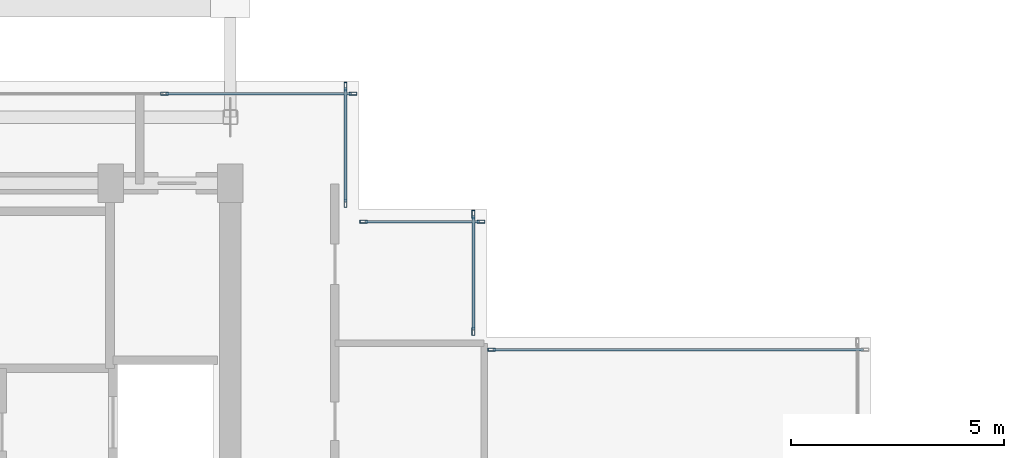
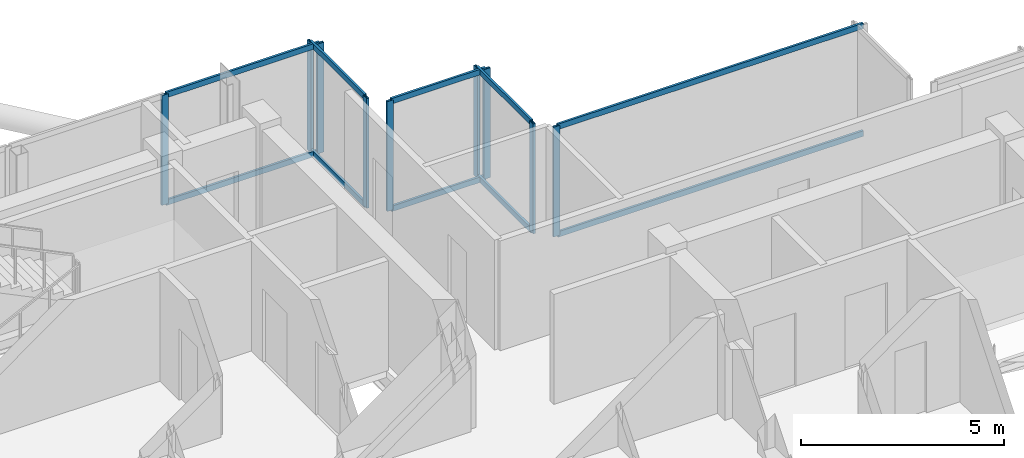
# One storey, part 11 of 19: 19 members, 5 elements without a shape of their own.
"""IFC4 building model written with IfcOpenShell, lengths in metres."""

from ifc_helpers import new_model, si_unit, direction, frame, origin, origin_2d, place, context, subcontext, project, spatial, hollow_rectangle, extrude, material, layer, layer_set, material_profile, profile_set, type_object, element, aggregate, save


model = new_model("IFC4")

# Units and contexts
model_context = context("Model", 3, precision=1e-05, world=origin(), true_north=direction((0.0, 1.0)))
body_context = subcontext(model_context, "Body", "Model", "MODEL_VIEW")
ifc_project = project(units=[si_unit("LENGTHUNIT", "METRE"), si_unit("AREAUNIT", "SQUARE_METRE"), si_unit("VOLUMEUNIT", "CUBIC_METRE"), si_unit("PLANEANGLEUNIT", "RADIAN"), si_unit("MASSUNIT", "GRAM", prefix="KILO"), si_unit("THERMODYNAMICTEMPERATUREUNIT", "KELVIN"), si_unit("POWERUNIT", "WATT")], contexts=[model_context])

# Site, building, storey
site_placement = place(None, origin())
site = spatial("IfcSite", under=ifc_project, at=site_placement, CompositionType="ELEMENT")
building_placement = place(site_placement, origin())
building = spatial("IfcBuilding", under=site, at=building_placement, Name="Svarakhadi Broadcast Tower", CompositionType="ELEMENT")
storey_placement = place(building_placement, frame((0.0, 0.0, 257.199951171875)))
storey = spatial("IfcBuildingStorey", under=building, at=storey_placement, Name="L64", CompositionType="ELEMENT", Elevation=257.199951171875)

# Curtain wall, members
ifc_material = material(Name="Anodised Bronze Aluminium AA 6063-T6", Category="aluminium")
ifc_layer = layer(ifc_material, 0.179931640625)
ifc_layer_set = layer_set([ifc_layer], Name="Anodised Bronze Aluminium AA 6063-T6")
curtain_wall_type = type_object("IfcCurtainWallType", Name="CW_Sys_05", PredefinedType="NOTDEFINED", material=ifc_layer_set)
curtain_wall_1_placement = place(storey_placement, origin())
curtain_wall_1 = element("IfcCurtainWall", 1, at=curtain_wall_1_placement, inside=storey, type_object=curtain_wall_type, Name="L64 Unitised Facade Curtain Wall 05", PredefinedType="NOTDEFINED")
ifc_material_profile_1 = material_profile(ifc_material, hollow_rectangle(XDim=0.070068359375, YDim=0.179931640625, WallThickness=0.005615234375, at=origin_2d()), Name="ALU MULLION 180x70x6")
ifc_profile_set_1 = profile_set([ifc_material_profile_1], Name="Anodised Bronze Aluminium AA 6063-T6")
member_type_1 = type_object("IfcMemberType", Name="CW_Sys_05_Mul", PredefinedType="MULLION", material=ifc_profile_set_1)
member_1_placement = place(storey_placement, frame((16.455078125, 29.699951171875, 0.0), z_axis=(0.0, 0.0, 1.0), x_axis=(0.0, 1.0, 0.0)))
member_1 = element("IfcMember", 2, at=member_1_placement, type_object=member_type_1, Name="CW-05 mullion 4", PredefinedType="MULLION", context=body_context, shape_type="SweptSolid", body=[
    extrude(hollow_rectangle(XDim=0.070068359375, YDim=0.179931640625, WallThickness=0.005615234375, at=origin_2d()), origin(), (0.0, 0.0, 1.0), 3.300048828125),
])
member_2_placement = place(storey_placement, frame((20.875, 29.699951171875, 0.0), z_axis=(0.0, 0.0, 1.0), x_axis=(0.0, 1.0, 0.0)))
member_2 = element("IfcMember", 3, at=member_2_placement, type_object=member_type_1, Name="CW-05 mullion 5", PredefinedType="MULLION", context=body_context, shape_type="SweptSolid", body=[
    extrude(hollow_rectangle(XDim=0.070068359375, YDim=0.179931640625, WallThickness=0.005615234375, at=origin_2d()), origin(), (0.0, 0.0, 1.0), 3.300048828125),
])

curtain_wall_2_placement = place(storey_placement, origin())
curtain_wall_2 = element("IfcCurtainWall", 4, at=curtain_wall_2_placement, inside=storey, type_object=curtain_wall_type, Name="L64 Unitised Facade Curtain Wall 06", PredefinedType="NOTDEFINED")
member_3_placement = place(storey_placement, frame((20.699951171875, 29.875, 0.0), z_axis=(0.0, 0.0, 1.0), x_axis=(1.0, 0.0, 0.0)))
member_3 = element("IfcMember", 5, at=member_3_placement, type_object=member_type_1, Name="CW-05 mullion 1", PredefinedType="MULLION", context=body_context, shape_type="SweptSolid", body=[
    extrude(hollow_rectangle(XDim=0.070068359375, YDim=0.179931640625, WallThickness=0.005615234375, at=origin_2d()), origin(), (0.0, 0.0, 1.0), 3.300048828125),
])
member_4_placement = place(storey_placement, frame((20.699951171875, 27.125, 0.0), z_axis=(0.0, 0.0, 1.0), x_axis=(1.0, 0.0, 0.0)))
member_4 = element("IfcMember", 6, at=member_4_placement, type_object=member_type_1, Name="CW-05 mullion 2", PredefinedType="MULLION", context=body_context, shape_type="SweptSolid", body=[
    extrude(hollow_rectangle(XDim=0.070068359375, YDim=0.179931640625, WallThickness=0.005615234375, at=origin_2d()), origin(), (0.0, 0.0, 1.0), 3.300048828125),
])

curtain_wall_3_placement = place(storey_placement, origin())
curtain_wall_3 = element("IfcCurtainWall", 7, at=curtain_wall_3_placement, inside=storey, type_object=curtain_wall_type, Name="L64 Unitised Facade Curtain Wall 07", PredefinedType="NOTDEFINED")
member_5_placement = place(storey_placement, frame((21.125, 26.699951171875, 0.0), z_axis=(0.0, 0.0, 1.0), x_axis=(0.0, 1.0, 0.0)))
member_5 = element("IfcMember", 8, at=member_5_placement, type_object=member_type_1, Name="CW-05 mullion 1", PredefinedType="MULLION", context=body_context, shape_type="SweptSolid", body=[
    extrude(hollow_rectangle(XDim=0.070068359375, YDim=0.179931640625, WallThickness=0.005615234375, at=origin_2d()), origin(), (0.0, 0.0, 1.0), 3.300048828125),
])
member_6_placement = place(storey_placement, frame((23.875, 26.699951171875, 0.0), z_axis=(0.0, 0.0, 1.0), x_axis=(0.0, 1.0, 0.0)))
member_6 = element("IfcMember", 9, at=member_6_placement, type_object=member_type_1, Name="CW-05 mullion 2", PredefinedType="MULLION", context=body_context, shape_type="SweptSolid", body=[
    extrude(hollow_rectangle(XDim=0.070068359375, YDim=0.179931640625, WallThickness=0.005615234375, at=origin_2d()), origin(), (0.0, 0.0, 1.0), 3.300048828125),
])

curtain_wall_4_placement = place(storey_placement, origin())
curtain_wall_4 = element("IfcCurtainWall", 10, at=curtain_wall_4_placement, inside=storey, type_object=curtain_wall_type, Name="L64 Unitised Facade Curtain Wall 08", PredefinedType="NOTDEFINED")
member_7_placement = place(storey_placement, frame((23.699951171875, 26.875, 0.0), z_axis=(0.0, 0.0, 1.0), x_axis=(1.0, 0.0, 0.0)))
member_7 = element("IfcMember", 11, at=member_7_placement, type_object=member_type_1, Name="CW-05 mullion 1", PredefinedType="MULLION", context=body_context, shape_type="SweptSolid", body=[
    extrude(hollow_rectangle(XDim=0.070068359375, YDim=0.179931640625, WallThickness=0.005615234375, at=origin_2d()), origin(), (0.0, 0.0, 1.0), 3.300048828125),
])
member_8_placement = place(storey_placement, frame((23.699951171875, 24.125, 0.0), z_axis=(0.0, 0.0, 1.0), x_axis=(1.0, 0.0, 0.0)))
member_8 = element("IfcMember", 12, at=member_8_placement, type_object=member_type_1, Name="CW-05 mullion 2", PredefinedType="MULLION", context=body_context, shape_type="SweptSolid", body=[
    extrude(hollow_rectangle(XDim=0.070068359375, YDim=0.179931640625, WallThickness=0.005615234375, at=origin_2d()), origin(), (0.0, 0.0, 1.0), 3.300048828125),
])

# Curtain wall, member
curtain_wall_5_placement = place(storey_placement, origin())
curtain_wall_5 = element("IfcCurtainWall", 13, at=curtain_wall_5_placement, inside=storey, type_object=curtain_wall_type, Name="L64 Unitised Facade Curtain Wall 09", PredefinedType="NOTDEFINED")
member_9_placement = place(storey_placement, frame((24.125, 23.699951171875, 0.0), z_axis=(0.0, 0.0, 1.0), x_axis=(0.0, 1.0, 0.0)))
member_9 = element("IfcMember", 14, at=member_9_placement, type_object=member_type_1, Name="CW-05 mullion 1", PredefinedType="MULLION", context=body_context, shape_type="SweptSolid", body=[
    extrude(hollow_rectangle(XDim=0.070068359375, YDim=0.179931640625, WallThickness=0.005615234375, at=origin_2d()), origin(), (0.0, 0.0, 1.0), 3.300048828125),
])

# Member
ifc_material_profile_2 = material_profile(ifc_material, hollow_rectangle(XDim=0.06494140625, YDim=0.1650390625, WallThickness=0.0048828125, at=origin_2d()), Name="ALU TRANSOM 165x65x5")
ifc_profile_set_2 = profile_set([ifc_material_profile_2], Name="Anodised Bronze Aluminium AA 6063-T6")
member_type_2 = type_object("IfcMemberType", Name="CW_Sys_05_Trn", PredefinedType="USERDEFINED", material=ifc_profile_set_2)
member_10_placement = place(storey_placement, frame((16.489990234375, 29.699951171875, 0.032470703125), z_axis=(1.0, 0.0, 0.0), x_axis=(0.0, 1.0, 0.0)))
member_10 = element("IfcMember", 15, at=member_10_placement, type_object=member_type_2, Name="CW-05 transom 4.1", ObjectType="TRANSOM", PredefinedType="USERDEFINED", context=body_context, shape_type="SweptSolid", body=[
    extrude(hollow_rectangle(XDim=0.06494140625, YDim=0.1650390625, WallThickness=0.0048828125, at=origin_2d()), origin(), (0.0, 0.0, 1.0), 4.35009765625),
])

member_11_placement = place(storey_placement, frame((16.489990234375, 29.699951171875, 3.267578125), z_axis=(1.0, 0.0, 0.0), x_axis=(0.0, 1.0, 0.0)))
member_11 = element("IfcMember", 16, at=member_11_placement, type_object=member_type_2, Name="CW-05 transom 4.2", ObjectType="TRANSOM", PredefinedType="USERDEFINED", context=body_context, shape_type="SweptSolid", body=[
    extrude(hollow_rectangle(XDim=0.06494140625, YDim=0.1650390625, WallThickness=0.0048828125, at=origin_2d()), origin(), (0.0, 0.0, 1.0), 4.35009765625),
])

aggregate(curtain_wall_1, [member_1, member_2, member_10, member_11])

member_12_placement = place(storey_placement, frame((20.699951171875, 29.840087890625, 0.032470703125), z_axis=(0.0, -1.0, 0.0), x_axis=(1.0, 0.0, 0.0)))
member_12 = element("IfcMember", 17, at=member_12_placement, type_object=member_type_2, Name="CW-05 transom 1.1", ObjectType="TRANSOM", PredefinedType="USERDEFINED", context=body_context, shape_type="SweptSolid", body=[
    extrude(hollow_rectangle(XDim=0.06494140625, YDim=0.1650390625, WallThickness=0.0048828125, at=origin_2d()), origin(), (0.0, 0.0, 1.0), 2.68017578125),
])

member_13_placement = place(storey_placement, frame((20.699951171875, 29.840087890625, 3.267578125), z_axis=(0.0, -1.0, 0.0), x_axis=(1.0, 0.0, 0.0)))
member_13 = element("IfcMember", 18, at=member_13_placement, type_object=member_type_2, Name="CW-05 transom 1.2", ObjectType="TRANSOM", PredefinedType="USERDEFINED", context=body_context, shape_type="SweptSolid", body=[
    extrude(hollow_rectangle(XDim=0.06494140625, YDim=0.1650390625, WallThickness=0.0048828125, at=origin_2d()), origin(), (0.0, 0.0, 1.0), 2.68017578125),
])

aggregate(curtain_wall_2, [member_3, member_4, member_12, member_13])

member_14_placement = place(storey_placement, frame((21.159912109375, 26.699951171875, 0.032470703125), z_axis=(1.0, 0.0, 0.0), x_axis=(0.0, 1.0, 0.0)))
member_14 = element("IfcMember", 19, at=member_14_placement, type_object=member_type_2, Name="CW-05 transom 1.1", ObjectType="TRANSOM", PredefinedType="USERDEFINED", context=body_context, shape_type="SweptSolid", body=[
    extrude(hollow_rectangle(XDim=0.06494140625, YDim=0.1650390625, WallThickness=0.0048828125, at=origin_2d()), origin(), (0.0, 0.0, 1.0), 2.68017578125),
])

member_15_placement = place(storey_placement, frame((21.159912109375, 26.699951171875, 3.267578125), z_axis=(1.0, 0.0, 0.0), x_axis=(0.0, 1.0, 0.0)))
member_15 = element("IfcMember", 20, at=member_15_placement, type_object=member_type_2, Name="CW-05 transom 1.2", ObjectType="TRANSOM", PredefinedType="USERDEFINED", context=body_context, shape_type="SweptSolid", body=[
    extrude(hollow_rectangle(XDim=0.06494140625, YDim=0.1650390625, WallThickness=0.0048828125, at=origin_2d()), origin(), (0.0, 0.0, 1.0), 2.68017578125),
])

aggregate(curtain_wall_3, [member_5, member_6, member_14, member_15])

member_16_placement = place(storey_placement, frame((23.699951171875, 26.840087890625, 0.032470703125), z_axis=(0.0, -1.0, 0.0), x_axis=(1.0, 0.0, 0.0)))
member_16 = element("IfcMember", 21, at=member_16_placement, type_object=member_type_2, Name="CW-05 transom 1.1", ObjectType="TRANSOM", PredefinedType="USERDEFINED", context=body_context, shape_type="SweptSolid", body=[
    extrude(hollow_rectangle(XDim=0.06494140625, YDim=0.1650390625, WallThickness=0.0048828125, at=origin_2d()), origin(), (0.0, 0.0, 1.0), 2.68017578125),
])

member_17_placement = place(storey_placement, frame((23.699951171875, 26.840087890625, 3.267578125), z_axis=(0.0, -1.0, 0.0), x_axis=(1.0, 0.0, 0.0)))
member_17 = element("IfcMember", 22, at=member_17_placement, type_object=member_type_2, Name="CW-05 transom 1.2", ObjectType="TRANSOM", PredefinedType="USERDEFINED", context=body_context, shape_type="SweptSolid", body=[
    extrude(hollow_rectangle(XDim=0.06494140625, YDim=0.1650390625, WallThickness=0.0048828125, at=origin_2d()), origin(), (0.0, 0.0, 1.0), 2.68017578125),
])

aggregate(curtain_wall_4, [member_7, member_8, member_16, member_17])

member_18_placement = place(storey_placement, frame((24.159912109375, 23.699951171875, 0.032470703125), z_axis=(1.0, 0.0, 0.0), x_axis=(0.0, 1.0, 0.0)))
member_18 = element("IfcMember", 23, at=member_18_placement, type_object=member_type_2, Name="CW-05 transom 1.1", ObjectType="TRANSOM", PredefinedType="USERDEFINED", context=body_context, shape_type="SweptSolid", body=[
    extrude(hollow_rectangle(XDim=0.06494140625, YDim=0.1650390625, WallThickness=0.0048828125, at=origin_2d()), origin(), (0.0, 0.0, 1.0), 8.68017578125),
])

member_19_placement = place(storey_placement, frame((24.159912109375, 23.699951171875, 3.267578125), z_axis=(1.0, 0.0, 0.0), x_axis=(0.0, 1.0, 0.0)))
member_19 = element("IfcMember", 24, at=member_19_placement, type_object=member_type_2, Name="CW-05 transom 1.2", ObjectType="TRANSOM", PredefinedType="USERDEFINED", context=body_context, shape_type="SweptSolid", body=[
    extrude(hollow_rectangle(XDim=0.06494140625, YDim=0.1650390625, WallThickness=0.0048828125, at=origin_2d()), origin(), (0.0, 0.0, 1.0), 8.68017578125),
])

aggregate(curtain_wall_5, [member_9, member_18, member_19])

save(model, "model.ifc")
